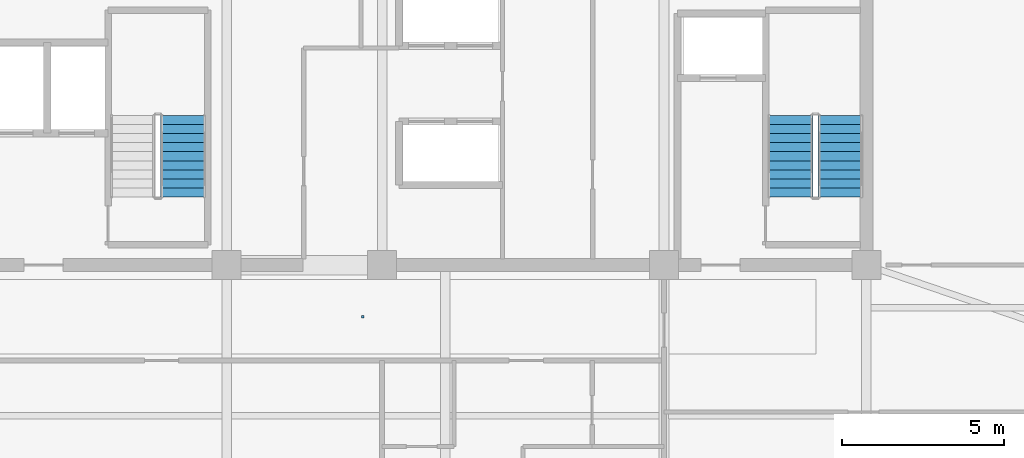
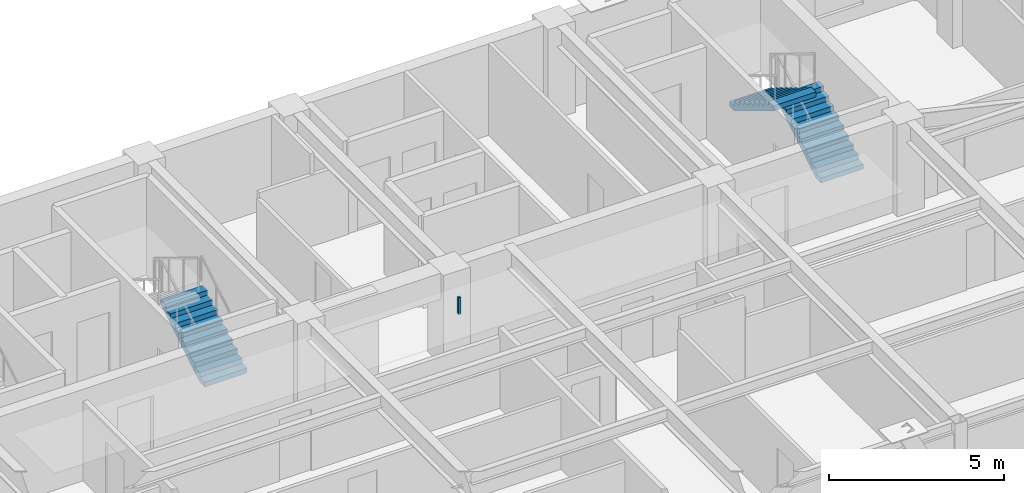
# One storey, part 9 of 12: 3 stair flights, 1 discrete accessory, 2 elements without a shape of their own.
"""IFC4 building model written with IfcOpenShell, lengths in metres."""

from ifc_helpers import new_model, si_unit, direction, frame, origin, origin_2d, place, context, subcontext, project, spatial, polyline, rectangle, outline, extrude, source, transform, mapped, material, type_object, element, aggregate, save


model = new_model("IFC4")

# Units and contexts
model_context = context("Model", 3, precision=1e-05, world=origin(), true_north=direction((0.0, 1.0)))
body_context = subcontext(model_context, "Body", "Model", "MODEL_VIEW")
ifc_project = project(units=[si_unit("LENGTHUNIT", "METRE"), si_unit("AREAUNIT", "SQUARE_METRE"), si_unit("VOLUMEUNIT", "CUBIC_METRE"), si_unit("PLANEANGLEUNIT", "RADIAN"), si_unit("MASSUNIT", "GRAM", prefix="KILO")], contexts=[model_context])

# Site, building, storey
site_placement = place(None, origin())
site = spatial("IfcSite", under=ifc_project, at=site_placement, CompositionType="ELEMENT")
building_placement = place(site_placement, origin())
building = spatial("IfcBuilding", under=site, at=building_placement, Name="Giltprow Tower", CompositionType="ELEMENT")
storey_placement = place(building_placement, frame((0.0, 0.0, 345.89990234375)))
storey = spatial("IfcBuildingStorey", under=building, at=storey_placement, Name="L90", CompositionType="ELEMENT", Elevation=345.89990234375)

# Stair, stair flight
ifc_material_1 = material(Name="Concrete C40", Category="concrete")
stair_type_1 = type_object("IfcStairType", Name="STR-ST-2", PredefinedType="HALF_TURN_STAIR", material=ifc_material_1)
stair_1_placement = place(storey_placement, origin())
stair_1 = element("IfcStair", 1, at=stair_1_placement, inside=storey, type_object=stair_type_1, Name="L90 Core Exit Stair ST-2", PredefinedType="HALF_TURN_STAIR")
stair_flight_type_1 = type_object("IfcStairFlightType", Name="SFL-ST-2", PredefinedType="STRAIGHT", material=ifc_material_1)
stair_flight_1_placement = place(storey_placement, frame((29.4599609375, 39.550048828125, 0.0), z_axis=(0.0, 0.0, 1.0), x_axis=(0.0, 1.0, 0.0)))
stair_flight_1 = element("IfcStairFlight", 2, at=stair_flight_1_placement, type_object=stair_flight_type_1, Name="ST-2 flight 1", NumberOfRisers=10, NumberOfTreads=9, PredefinedType="STRAIGHT", RiserHeight=0.17, TreadLength=0.28, context=body_context, shape_type="SweptSolid", body=[
    extrude(outline(polyline([(0.0, 0.0), (0.0, 0.169921875), (0.280029296875, 0.169921875), (0.280029296875, 0.340087890625), (0.56005859375, 0.340087890625), (0.56005859375, 0.510009765625), (0.840087890625, 0.510009765625), (0.840087890625, 0.679931640625), (1.1201171875, 0.679931640625), (1.1201171875, 0.85009765625), (1.39990234375, 0.85009765625), (1.39990234375, 1.02001953125), (1.679931640625, 1.02001953125), (1.679931640625, 1.18994140625), (1.9599609375, 1.18994140625), (1.9599609375, 1.360107421875), (2.239990234375, 1.360107421875), (2.239990234375, 1.530029296875), (2.52001953125, 1.530029296875), (2.52001953125, 1.699951171875), (2.52001953125, 1.354736328125), (0.288818359375, 0.0), (0.0, 0.0)])), frame((0.0, 0.699951171875, 0.0), z_axis=(0.0, -1.0, 0.0), x_axis=(1.0, 0.0, 0.0)), (0.0, 0.0, 1.0), 1.39990234375),
])
aggregate(stair_1, [stair_flight_1])

# Stair, stair flights
stair_type_2 = type_object("IfcStairType", Name="STR-ST-3", PredefinedType="HALF_TURN_STAIR", material=ifc_material_1)
stair_2_placement = place(storey_placement, origin())
stair_2 = element("IfcStair", 3, at=stair_2_placement, inside=storey, type_object=stair_type_2, Name="L90 Core Exit Stair ST-3", PredefinedType="HALF_TURN_STAIR")
stair_flight_type_2 = type_object("IfcStairFlightType", Name="SFL-ST-3", PredefinedType="STRAIGHT", material=ifc_material_1)
stair_flight_2_placement = place(storey_placement, frame((49.760009765625, 39.550048828125, 0.0), z_axis=(0.0, 0.0, 1.0), x_axis=(0.0, 1.0, 0.0)))
stair_flight_2 = element("IfcStairFlight", 4, at=stair_flight_2_placement, type_object=stair_flight_type_2, Name="ST-3 flight 1", NumberOfRisers=10, NumberOfTreads=9, PredefinedType="STRAIGHT", RiserHeight=0.17, TreadLength=0.28, context=body_context, shape_type="SweptSolid", body=[
    extrude(outline(polyline([(0.0, 0.0), (0.0, 0.169921875), (0.280029296875, 0.169921875), (0.280029296875, 0.340087890625), (0.56005859375, 0.340087890625), (0.56005859375, 0.510009765625), (0.840087890625, 0.510009765625), (0.840087890625, 0.679931640625), (1.1201171875, 0.679931640625), (1.1201171875, 0.85009765625), (1.39990234375, 0.85009765625), (1.39990234375, 1.02001953125), (1.679931640625, 1.02001953125), (1.679931640625, 1.18994140625), (1.9599609375, 1.18994140625), (1.9599609375, 1.360107421875), (2.239990234375, 1.360107421875), (2.239990234375, 1.530029296875), (2.52001953125, 1.530029296875), (2.52001953125, 1.699951171875), (2.52001953125, 1.354736328125), (0.288818359375, 0.0), (0.0, 0.0)])), frame((0.0, 0.699951171875, 0.0), z_axis=(0.0, -1.0, 0.0), x_axis=(1.0, 0.0, 0.0)), (0.0, 0.0, 1.0), 1.39990234375),
])
stair_flight_3_placement = place(storey_placement, frame((48.199951171875, 42.070068359375, 1.7001953125), z_axis=(0.0, 0.0, 1.0), x_axis=(0.0, -1.0, 0.0)))
stair_flight_3 = element("IfcStairFlight", 5, at=stair_flight_3_placement, type_object=stair_flight_type_2, Name="ST-3 flight 2", NumberOfRisers=10, NumberOfTreads=9, PredefinedType="STRAIGHT", RiserHeight=0.17, TreadLength=0.28, context=body_context, shape_type="SweptSolid", body=[
    extrude(outline(polyline([(0.0, 0.0), (0.0, 0.169921875), (0.280029296875, 0.169921875), (0.280029296875, 0.340087890625), (0.56005859375, 0.340087890625), (0.56005859375, 0.510009765625), (0.840087890625, 0.510009765625), (0.840087890625, 0.679931640625), (1.1201171875, 0.679931640625), (1.1201171875, 0.85009765625), (1.39990234375, 0.85009765625), (1.39990234375, 1.02001953125), (1.679931640625, 1.02001953125), (1.679931640625, 1.18994140625), (1.9599609375, 1.18994140625), (1.9599609375, 1.360107421875), (2.239990234375, 1.360107421875), (2.239990234375, 1.530029296875), (2.52001953125, 1.530029296875), (2.52001953125, 1.699951171875), (2.52001953125, 1.354736328125), (0.288818359375, 0.0), (0.0, 0.0)])), frame((0.0, 0.699951171875, 0.0), z_axis=(0.0, -1.0, 0.0), x_axis=(1.0, 0.0, 0.0)), (0.0, 0.0, 1.0), 1.39990234375),
])
aggregate(stair_2, [stair_flight_2, stair_flight_3])

# Discrete accessory
ifc_material_2 = material(Name="Structural steel Q355B", Category="steel")
discrete_accessory_type = type_object("IfcDiscreteAccessoryType", Name="ACC-CLG-HANGER", PredefinedType="BRACKET", material=ifc_material_2)
shared_shape = source(origin(), body_context, "Body", "SweptSolid", [
    extrude(rectangle(XDim=0.080078125, YDim=0.080078125, at=origin_2d()), origin(), (0.0, 0.0, 1.0), 0.5849609375),
])
discrete_accessory_placement = place(storey_placement, frame((35.0, 35.85009765625, 2.61962890625), z_axis=(0.0, 0.0, 1.0), x_axis=(1.0, 0.0, 0.0)))
element("IfcDiscreteAccessory", 6, at=discrete_accessory_placement, inside=storey, type_object=discrete_accessory_type, Name="L90 Residence Gallery Ceiling Suspension Hanger", PredefinedType="BRACKET", context=body_context, shape_type="MappedRepresentation", body=[
    mapped(shared_shape, transform((0.0, 0.0, 0.0), x_axis=(1.0, 0.0, 0.0), y_axis=(0.0, 1.0, 0.0), z_axis=(0.0, 0.0, 1.0), scale=1.0)),
])

save(model, "model.ifc")
